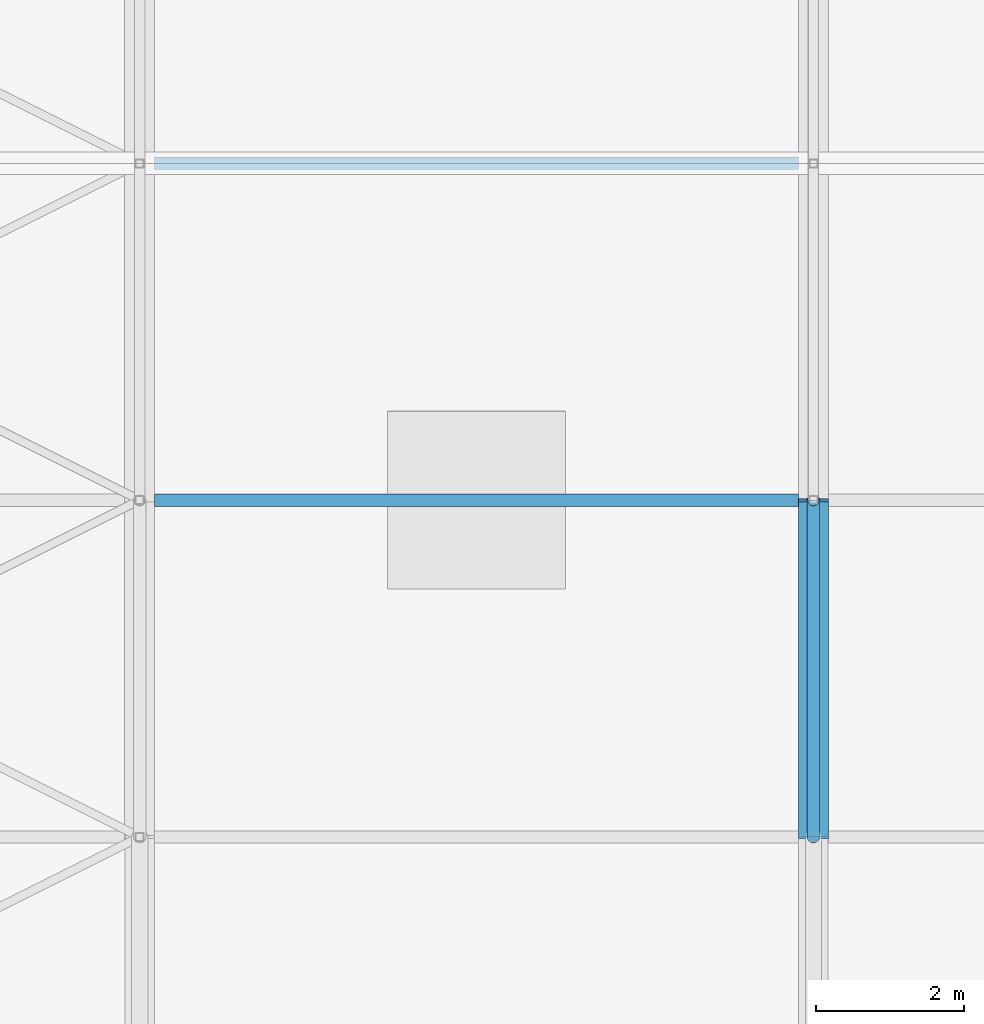
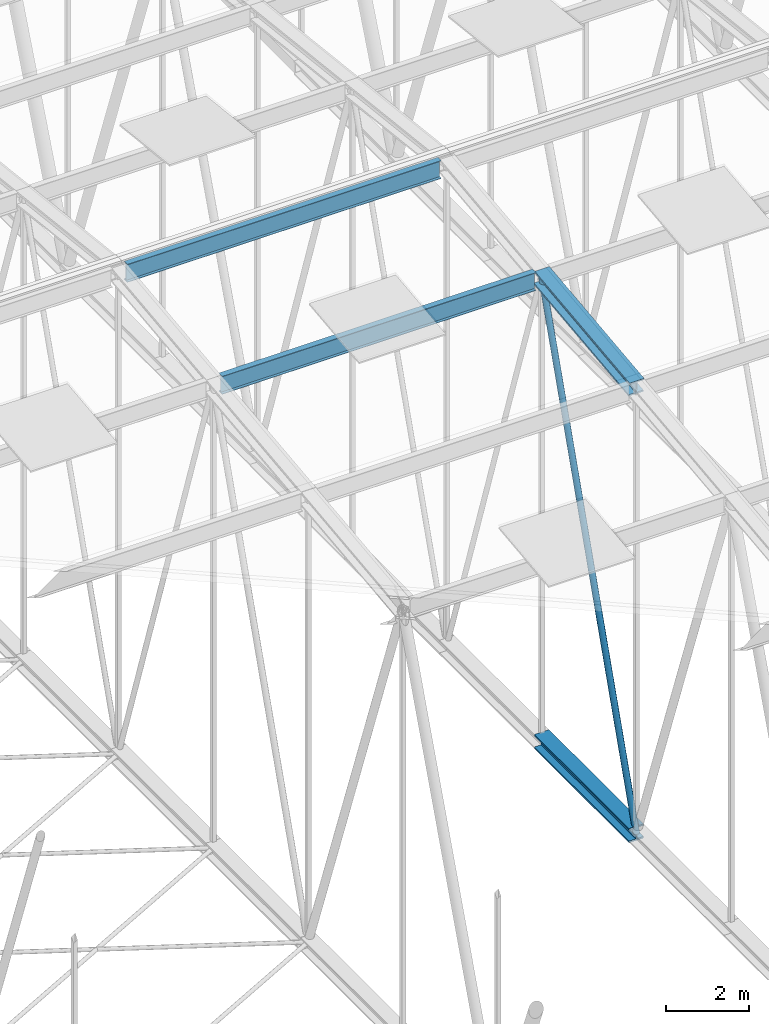
# One storey, part 138 of 500: 5 members.
"""IFC4 building model written with IfcOpenShell, lengths in metres."""

from ifc_helpers import new_model, si_unit, direction, frame, origin, origin_2d, place, context, subcontext, project, spatial, hollow_circle, i_section, extrude, material, material_profile, profile_set, type_object, element, save


model = new_model("IFC4")

# Units and contexts
model_context = context("Model", 3, precision=1e-05, world=origin(), true_north=direction((0.0, 1.0)))
body_context = subcontext(model_context, "Body", "Model", "MODEL_VIEW")
ifc_project = project(units=[si_unit("LENGTHUNIT", "METRE"), si_unit("AREAUNIT", "SQUARE_METRE"), si_unit("VOLUMEUNIT", "CUBIC_METRE"), si_unit("PLANEANGLEUNIT", "RADIAN"), si_unit("MASSUNIT", "GRAM", prefix="KILO")], contexts=[model_context])

# Site, building, storey
site_placement = place(None, origin())
site = spatial("IfcSite", under=ifc_project, at=site_placement, CompositionType="ELEMENT")
building_placement = place(site_placement, origin())
building = spatial("IfcBuilding", under=site, at=building_placement, Name="Shirokan Park Arena", CompositionType="ELEMENT")
storey_placement = place(building_placement, frame((0.0, 0.0, 29.1201171875)))
storey = spatial("IfcBuildingStorey", under=building, at=storey_placement, Name="L06", CompositionType="ELEMENT", Elevation=29.1201171875)

# Members
ifc_material_1 = material(Name="Steel ASTM A992", Category="steel")
ifc_material_profile_1 = material_profile(ifc_material_1, i_section(OverallWidth=0.406005859375, OverallDepth=0.4169921875, WebThickness=0.030029296875, FlangeThickness=0.048095703125, at=origin_2d()), Name="W360X382")
ifc_profile_set_1 = profile_set([ifc_material_profile_1], Name="Steel ASTM A992")
member_type_1 = type_object("IfcMemberType", Name="Bottom chord W360X382", PredefinedType="CHORD", material=ifc_profile_set_1)
member_1_placement = place(storey_placement, frame((63.699951171875, 45.5, 4.677001953125), z_axis=(0.0, 1.0, 0.0), x_axis=(-1.0, 0.0, 0.0)))
element("IfcMember", 1, at=member_1_placement, inside=storey, type_object=member_type_1, Name="Truss T08 bottom chord 13", PredefinedType="CHORD", context=body_context, shape_type="SweptSolid", body=[
    extrude(i_section(OverallWidth=0.406005859375, OverallDepth=0.4169921875, WebThickness=0.030029296875, FlangeThickness=0.048095703125, at=origin_2d()), origin(), (0.0, 0.0, 1.0), 4.550048828125),
])
ifc_material_profile_2 = material_profile(ifc_material_1, i_section(OverallWidth=0.166015625, OverallDepth=0.528076171875, WebThickness=0.009765625, FlangeThickness=0.013671875, at=origin_2d()), Name="W530X74")
ifc_profile_set_2 = profile_set([ifc_material_profile_2], Name="Steel ASTM A992")
member_type_2 = type_object("IfcMemberType", Name="Purlin W530X74", PredefinedType="PURLIN", material=ifc_profile_set_2)
for number, where, z_axis, x_axis, name in (
    (2, (54.802978515625, 50.050048828125, 18.205810546875), (1.0, 0.0, 0.0), (0.0, 1.0, 0.0), "Purlin 14 bay 7"),
    (3, (54.802978515625, 54.60009765625, 18.725830078125), (1.0, 0.0, 0.0), (0.0, 1.0, 0.0), "Purlin 15 bay 7"),
):
    element("IfcMember", number, at=place(storey_placement, frame(where, z_axis=z_axis, x_axis=x_axis)), inside=storey, type_object=member_type_2, Name=name, PredefinedType="PURLIN", context=body_context, shape_type="SweptSolid", body=[
        extrude(i_section(OverallWidth=0.166015625, OverallDepth=0.528076171875, WebThickness=0.009765625, FlangeThickness=0.013671875, at=origin_2d()), origin(), (0.0, 0.0, 1.0), 8.694091796875),
    ])
ifc_material_profile_3 = material_profile(ifc_material_1, i_section(OverallWidth=0.406005859375, OverallDepth=0.4169921875, WebThickness=0.030029296875, FlangeThickness=0.048095703125, at=origin_2d()), Name="W360X382")
ifc_profile_set_3 = profile_set([ifc_material_profile_3], Name="Steel ASTM A992")
member_type_3 = type_object("IfcMemberType", Name="Top chord W360X382", PredefinedType="CHORD", material=ifc_profile_set_3)
member_2_placement = place(storey_placement, frame((63.699951171875, 45.5, 17.741455078125), z_axis=(0.0, 0.993532328996, 0.113549598152), x_axis=(-1.0, 0.0, 0.0)))
element("IfcMember", 4, at=member_2_placement, inside=storey, type_object=member_type_3, Name="Truss T08 top chord 13", PredefinedType="CHORD", context=body_context, shape_type="SweptSolid", body=[
    extrude(i_section(OverallWidth=0.406005859375, OverallDepth=0.4169921875, WebThickness=0.030029296875, FlangeThickness=0.048095703125, at=origin_2d()), origin(), (0.0, 0.0, 1.0), 4.57958984375),
])
ifc_material_2 = material(Name="Steel ASTM A500 Grade C", Category="steel")
ifc_material_profile_4 = material_profile(ifc_material_2, hollow_circle(Radius=0.083984375, WallThickness=0.009521484375, at=origin_2d()), Name="HSS168.3X9.5")
ifc_profile_set_4 = profile_set([ifc_material_profile_4], Name="Steel ASTM A500 Grade C")
member_type_4 = type_object("IfcMemberType", Name="Truss diagonal HSS168.3X9.5", PredefinedType="BRACE", material=ifc_profile_set_4)
member_3_placement = place(storey_placement, frame((63.699951171875, 45.5, 4.677001953125), z_axis=(0.0, 0.317602683872, 0.948223884532), x_axis=(-1.0, 0.0, 0.0)))
element("IfcMember", 5, at=member_3_placement, inside=storey, type_object=member_type_4, Name="Truss T08 diagonal 13", PredefinedType="BRACE", context=body_context, shape_type="SweptSolid", body=[
    extrude(hollow_circle(Radius=0.083984375, WallThickness=0.009521484375, at=origin_2d()), origin(), (0.0, 0.0, 1.0), 14.326171875),
])

save(model, "model.ifc")
